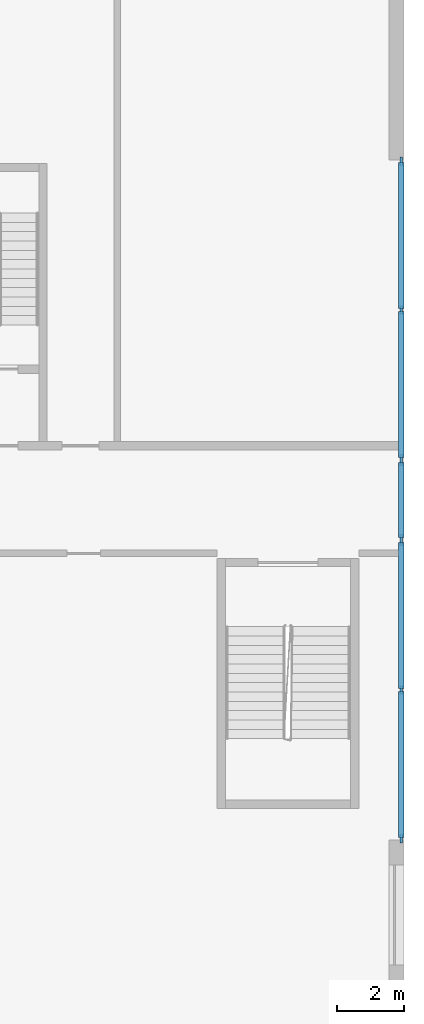
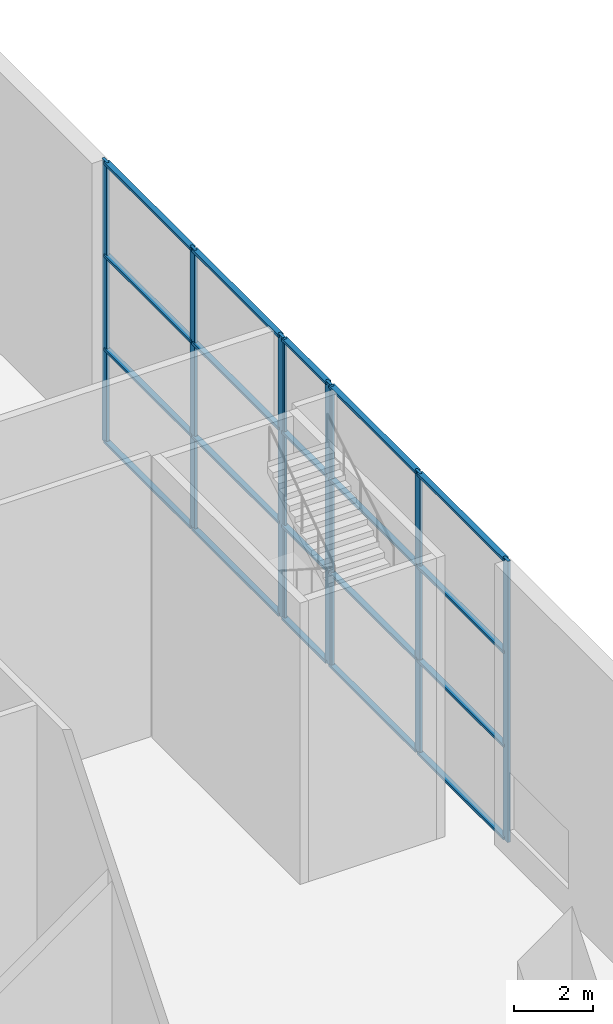
# One storey, part 3 of 24: 28 members, 3 elements without a shape of their own.
"""IFC4 building model written with IfcOpenShell, lengths in metres."""

from ifc_helpers import new_model, si_unit, direction, frame, origin, origin_2d, place, context, subcontext, project, spatial, rectangle, extrude, material, material_profile, profile_set, type_object, element, aggregate, save


model = new_model("IFC4")

# Units and contexts
model_context = context("Model", 3, precision=1e-05, world=origin(), true_north=direction((0.0, 1.0)))
body_context = subcontext(model_context, "Body", "Model", "MODEL_VIEW")
ifc_project = project(units=[si_unit("LENGTHUNIT", "METRE"), si_unit("AREAUNIT", "SQUARE_METRE"), si_unit("VOLUMEUNIT", "CUBIC_METRE"), si_unit("PLANEANGLEUNIT", "RADIAN"), si_unit("MASSUNIT", "GRAM", prefix="KILO")], contexts=[model_context])

# Site, building, storey
site_placement = place(None, origin())
site = spatial("IfcSite", under=ifc_project, at=site_placement, CompositionType="ELEMENT")
building_placement = place(site_placement, origin())
building = spatial("IfcBuilding", under=site, at=building_placement, Name="Kajstack Hotel Tower", CompositionType="ELEMENT")
storey_placement = place(building_placement, frame((0.0, 0.0, 38.0)))
storey = spatial("IfcBuildingStorey", under=building, at=storey_placement, Name="L06", CompositionType="ELEMENT", Elevation=38.0)

# Curtain wall, members
ifc_material_1 = material(Name="Aluminium-framed curtain wall, acoustic laminated glass", Category="aluminium")
curtain_wall_type = type_object("IfcCurtainWallType", Name="CW-BALL", PredefinedType="NOTDEFINED", material=ifc_material_1)
curtain_wall_1_placement = place(storey_placement, origin())
curtain_wall_1 = element("IfcCurtainWall", 1, at=curtain_wall_1_placement, inside=storey, type_object=curtain_wall_type, Name="Curtain wall CU5 L06-07-01-0", PredefinedType="NOTDEFINED")
ifc_material_2 = material(Name="Aluminium", Category="aluminium")
ifc_material_profile_1 = material_profile(ifc_material_2, rectangle(XDim=0.080078125, YDim=0.25, at=origin_2d()), Name="Aluminium mullion 80 x 250")
ifc_profile_set_1 = profile_set([ifc_material_profile_1], Name="Aluminium")
member_type_1 = type_object("IfcMemberType", Name="CW-M-BALL", PredefinedType="MULLION", material=ifc_profile_set_1)
member_1_placement = place(storey_placement, frame((44.925048828125, -10.159912109375, 0.0), z_axis=(0.0, 0.0, 1.0), x_axis=(-1.0, 0.0, 0.0)))
member_1 = element("IfcMember", 2, at=member_1_placement, type_object=member_type_1, Name="CU5 mullion 1", PredefinedType="MULLION", context=body_context, shape_type="SweptSolid", body=[
    extrude(rectangle(XDim=0.080078125, YDim=0.25, at=origin_2d()), origin(), (0.0, 0.0, 1.0), 8.699951171875),
])
member_2_placement = place(storey_placement, frame((44.925048828125, -5.699951171875, 0.0), z_axis=(0.0, 0.0, 1.0), x_axis=(-1.0, 0.0, 0.0)))
member_2 = element("IfcMember", 3, at=member_2_placement, type_object=member_type_1, Name="CU5 mullion 2", PredefinedType="MULLION", context=body_context, shape_type="SweptSolid", body=[
    extrude(rectangle(XDim=0.080078125, YDim=0.25, at=origin_2d()), origin(), (0.0, 0.0, 1.0), 8.699951171875),
])
member_3_placement = place(storey_placement, frame((44.925048828125, -1.239990234375, 0.0), z_axis=(0.0, 0.0, 1.0), x_axis=(-1.0, 0.0, 0.0)))
member_3 = element("IfcMember", 4, at=member_3_placement, type_object=member_type_1, Name="CU5 mullion 3", PredefinedType="MULLION", context=body_context, shape_type="SweptSolid", body=[
    extrude(rectangle(XDim=0.080078125, YDim=0.25, at=origin_2d()), origin(), (0.0, 0.0, 1.0), 8.699951171875),
])

curtain_wall_2_placement = place(storey_placement, origin())
curtain_wall_2 = element("IfcCurtainWall", 5, at=curtain_wall_2_placement, inside=storey, type_object=curtain_wall_type, Name="Curtain wall CU5 L06-07-01-1", PredefinedType="NOTDEFINED")
member_4_placement = place(storey_placement, frame((44.925048828125, -1.159912109375, 0.0), z_axis=(0.0, 0.0, 1.0), x_axis=(-1.0, 0.0, 0.0)))
member_4 = element("IfcMember", 6, at=member_4_placement, type_object=member_type_1, Name="CU5 mullion 1", PredefinedType="MULLION", context=body_context, shape_type="SweptSolid", body=[
    extrude(rectangle(XDim=0.080078125, YDim=0.25, at=origin_2d()), origin(), (0.0, 0.0, 1.0), 8.699951171875),
])
member_5_placement = place(storey_placement, frame((44.925048828125, 1.159912109375, 0.0), z_axis=(0.0, 0.0, 1.0), x_axis=(-1.0, 0.0, 0.0)))
member_5 = element("IfcMember", 7, at=member_5_placement, type_object=member_type_1, Name="CU5 mullion 2", PredefinedType="MULLION", context=body_context, shape_type="SweptSolid", body=[
    extrude(rectangle(XDim=0.080078125, YDim=0.25, at=origin_2d()), origin(), (0.0, 0.0, 1.0), 8.699951171875),
])

curtain_wall_3_placement = place(storey_placement, origin())
curtain_wall_3 = element("IfcCurtainWall", 8, at=curtain_wall_3_placement, inside=storey, type_object=curtain_wall_type, Name="Curtain wall CU5 L06-07-01-2", PredefinedType="NOTDEFINED")
member_6_placement = place(storey_placement, frame((44.925048828125, 1.239990234375, 0.0), z_axis=(0.0, 0.0, 1.0), x_axis=(-1.0, 0.0, 0.0)))
member_6 = element("IfcMember", 9, at=member_6_placement, type_object=member_type_1, Name="CU5 mullion 1", PredefinedType="MULLION", context=body_context, shape_type="SweptSolid", body=[
    extrude(rectangle(XDim=0.080078125, YDim=0.25, at=origin_2d()), origin(), (0.0, 0.0, 1.0), 8.699951171875),
])
member_7_placement = place(storey_placement, frame((44.925048828125, 5.699951171875, 0.0), z_axis=(0.0, 0.0, 1.0), x_axis=(-1.0, 0.0, 0.0)))
member_7 = element("IfcMember", 10, at=member_7_placement, type_object=member_type_1, Name="CU5 mullion 2", PredefinedType="MULLION", context=body_context, shape_type="SweptSolid", body=[
    extrude(rectangle(XDim=0.080078125, YDim=0.25, at=origin_2d()), origin(), (0.0, 0.0, 1.0), 8.699951171875),
])
member_8_placement = place(storey_placement, frame((44.925048828125, 10.159912109375, 0.0), z_axis=(0.0, 0.0, 1.0), x_axis=(-1.0, 0.0, 0.0)))
member_8 = element("IfcMember", 11, at=member_8_placement, type_object=member_type_1, Name="CU5 mullion 3", PredefinedType="MULLION", context=body_context, shape_type="SweptSolid", body=[
    extrude(rectangle(XDim=0.080078125, YDim=0.25, at=origin_2d()), origin(), (0.0, 0.0, 1.0), 8.699951171875),
])

# Member
ifc_material_profile_2 = material_profile(ifc_material_2, rectangle(XDim=0.159912109375, YDim=0.080078125, at=origin_2d()), Name="Aluminium transom 160 x 80")
ifc_profile_set_2 = profile_set([ifc_material_profile_2], Name="Aluminium")
member_type_2 = type_object("IfcMemberType", Name="CW-T-BALL", PredefinedType="USERDEFINED", material=ifc_profile_set_2)
member_9_placement = place(storey_placement, frame((44.925048828125, -10.1201171875, 0.0400390625), z_axis=(0.0, 1.0, 0.0), x_axis=(-1.0, 0.0, 0.0)))
member_9 = element("IfcMember", 12, at=member_9_placement, type_object=member_type_2, Name="CU5 transom 1.1", ObjectType="TRANSOM", PredefinedType="USERDEFINED", context=body_context, shape_type="SweptSolid", body=[
    extrude(rectangle(XDim=0.159912109375, YDim=0.080078125, at=origin_2d()), origin(), (0.0, 0.0, 1.0), 4.380126953125),
])

member_10_placement = place(storey_placement, frame((44.925048828125, -10.1201171875, 2.89990234375), z_axis=(0.0, 1.0, 0.0), x_axis=(-1.0, 0.0, 0.0)))
member_10 = element("IfcMember", 13, at=member_10_placement, type_object=member_type_2, Name="CU5 transom 1.2", ObjectType="TRANSOM", PredefinedType="USERDEFINED", context=body_context, shape_type="SweptSolid", body=[
    extrude(rectangle(XDim=0.159912109375, YDim=0.080078125, at=origin_2d()), origin(), (0.0, 0.0, 1.0), 4.380126953125),
])

member_11_placement = place(storey_placement, frame((44.925048828125, -10.1201171875, 5.800048828125), z_axis=(0.0, 1.0, 0.0), x_axis=(-1.0, 0.0, 0.0)))
member_11 = element("IfcMember", 14, at=member_11_placement, type_object=member_type_2, Name="CU5 transom 1.3", ObjectType="TRANSOM", PredefinedType="USERDEFINED", context=body_context, shape_type="SweptSolid", body=[
    extrude(rectangle(XDim=0.159912109375, YDim=0.080078125, at=origin_2d()), origin(), (0.0, 0.0, 1.0), 4.380126953125),
])

member_12_placement = place(storey_placement, frame((44.925048828125, -10.1201171875, 8.659912109375), z_axis=(0.0, 1.0, 0.0), x_axis=(-1.0, 0.0, 0.0)))
member_12 = element("IfcMember", 15, at=member_12_placement, type_object=member_type_2, Name="CU5 transom 1.4", ObjectType="TRANSOM", PredefinedType="USERDEFINED", context=body_context, shape_type="SweptSolid", body=[
    extrude(rectangle(XDim=0.159912109375, YDim=0.080078125, at=origin_2d()), origin(), (0.0, 0.0, 1.0), 4.380126953125),
])

member_13_placement = place(storey_placement, frame((44.925048828125, -5.659912109375, 0.0400390625), z_axis=(0.0, 1.0, 0.0), x_axis=(-1.0, 0.0, 0.0)))
member_13 = element("IfcMember", 16, at=member_13_placement, type_object=member_type_2, Name="CU5 transom 2.1", ObjectType="TRANSOM", PredefinedType="USERDEFINED", context=body_context, shape_type="SweptSolid", body=[
    extrude(rectangle(XDim=0.159912109375, YDim=0.080078125, at=origin_2d()), origin(), (0.0, 0.0, 1.0), 4.3798828125),
])

member_14_placement = place(storey_placement, frame((44.925048828125, -5.659912109375, 2.89990234375), z_axis=(0.0, 1.0, 0.0), x_axis=(-1.0, 0.0, 0.0)))
member_14 = element("IfcMember", 17, at=member_14_placement, type_object=member_type_2, Name="CU5 transom 2.2", ObjectType="TRANSOM", PredefinedType="USERDEFINED", context=body_context, shape_type="SweptSolid", body=[
    extrude(rectangle(XDim=0.159912109375, YDim=0.080078125, at=origin_2d()), origin(), (0.0, 0.0, 1.0), 4.3798828125),
])

member_15_placement = place(storey_placement, frame((44.925048828125, -5.659912109375, 5.800048828125), z_axis=(0.0, 1.0, 0.0), x_axis=(-1.0, 0.0, 0.0)))
member_15 = element("IfcMember", 18, at=member_15_placement, type_object=member_type_2, Name="CU5 transom 2.3", ObjectType="TRANSOM", PredefinedType="USERDEFINED", context=body_context, shape_type="SweptSolid", body=[
    extrude(rectangle(XDim=0.159912109375, YDim=0.080078125, at=origin_2d()), origin(), (0.0, 0.0, 1.0), 4.3798828125),
])

member_16_placement = place(storey_placement, frame((44.925048828125, -5.659912109375, 8.659912109375), z_axis=(0.0, 1.0, 0.0), x_axis=(-1.0, 0.0, 0.0)))
member_16 = element("IfcMember", 19, at=member_16_placement, type_object=member_type_2, Name="CU5 transom 2.4", ObjectType="TRANSOM", PredefinedType="USERDEFINED", context=body_context, shape_type="SweptSolid", body=[
    extrude(rectangle(XDim=0.159912109375, YDim=0.080078125, at=origin_2d()), origin(), (0.0, 0.0, 1.0), 4.3798828125),
])

aggregate(curtain_wall_1, [member_1, member_2, member_3, member_9, member_10, member_11, member_12, member_13, member_14, member_15, member_16])

member_17_placement = place(storey_placement, frame((44.925048828125, -1.1201171875, 0.0400390625), z_axis=(0.0, 1.0, 0.0), x_axis=(-1.0, 0.0, 0.0)))
member_17 = element("IfcMember", 20, at=member_17_placement, type_object=member_type_2, Name="CU5 transom 1.1", ObjectType="TRANSOM", PredefinedType="USERDEFINED", context=body_context, shape_type="SweptSolid", body=[
    extrude(rectangle(XDim=0.159912109375, YDim=0.080078125, at=origin_2d()), origin(), (0.0, 0.0, 1.0), 2.240234375),
])

member_18_placement = place(storey_placement, frame((44.925048828125, -1.1201171875, 2.89990234375), z_axis=(0.0, 1.0, 0.0), x_axis=(-1.0, 0.0, 0.0)))
member_18 = element("IfcMember", 21, at=member_18_placement, type_object=member_type_2, Name="CU5 transom 1.2", ObjectType="TRANSOM", PredefinedType="USERDEFINED", context=body_context, shape_type="SweptSolid", body=[
    extrude(rectangle(XDim=0.159912109375, YDim=0.080078125, at=origin_2d()), origin(), (0.0, 0.0, 1.0), 2.240234375),
])

member_19_placement = place(storey_placement, frame((44.925048828125, -1.1201171875, 5.800048828125), z_axis=(0.0, 1.0, 0.0), x_axis=(-1.0, 0.0, 0.0)))
member_19 = element("IfcMember", 22, at=member_19_placement, type_object=member_type_2, Name="CU5 transom 1.3", ObjectType="TRANSOM", PredefinedType="USERDEFINED", context=body_context, shape_type="SweptSolid", body=[
    extrude(rectangle(XDim=0.159912109375, YDim=0.080078125, at=origin_2d()), origin(), (0.0, 0.0, 1.0), 2.240234375),
])

member_20_placement = place(storey_placement, frame((44.925048828125, -1.1201171875, 8.659912109375), z_axis=(0.0, 1.0, 0.0), x_axis=(-1.0, 0.0, 0.0)))
member_20 = element("IfcMember", 23, at=member_20_placement, type_object=member_type_2, Name="CU5 transom 1.4", ObjectType="TRANSOM", PredefinedType="USERDEFINED", context=body_context, shape_type="SweptSolid", body=[
    extrude(rectangle(XDim=0.159912109375, YDim=0.080078125, at=origin_2d()), origin(), (0.0, 0.0, 1.0), 2.240234375),
])

aggregate(curtain_wall_2, [member_4, member_5, member_17, member_18, member_19, member_20])

member_21_placement = place(storey_placement, frame((44.925048828125, 1.280029296875, 0.0400390625), z_axis=(0.0, 1.0, 0.0), x_axis=(-1.0, 0.0, 0.0)))
member_21 = element("IfcMember", 24, at=member_21_placement, type_object=member_type_2, Name="CU5 transom 1.1", ObjectType="TRANSOM", PredefinedType="USERDEFINED", context=body_context, shape_type="SweptSolid", body=[
    extrude(rectangle(XDim=0.159912109375, YDim=0.080078125, at=origin_2d()), origin(), (0.0, 0.0, 1.0), 4.3798828125),
])

member_22_placement = place(storey_placement, frame((44.925048828125, 1.280029296875, 2.89990234375), z_axis=(0.0, 1.0, 0.0), x_axis=(-1.0, 0.0, 0.0)))
member_22 = element("IfcMember", 25, at=member_22_placement, type_object=member_type_2, Name="CU5 transom 1.2", ObjectType="TRANSOM", PredefinedType="USERDEFINED", context=body_context, shape_type="SweptSolid", body=[
    extrude(rectangle(XDim=0.159912109375, YDim=0.080078125, at=origin_2d()), origin(), (0.0, 0.0, 1.0), 4.3798828125),
])

member_23_placement = place(storey_placement, frame((44.925048828125, 1.280029296875, 5.800048828125), z_axis=(0.0, 1.0, 0.0), x_axis=(-1.0, 0.0, 0.0)))
member_23 = element("IfcMember", 26, at=member_23_placement, type_object=member_type_2, Name="CU5 transom 1.3", ObjectType="TRANSOM", PredefinedType="USERDEFINED", context=body_context, shape_type="SweptSolid", body=[
    extrude(rectangle(XDim=0.159912109375, YDim=0.080078125, at=origin_2d()), origin(), (0.0, 0.0, 1.0), 4.3798828125),
])

member_24_placement = place(storey_placement, frame((44.925048828125, 1.280029296875, 8.659912109375), z_axis=(0.0, 1.0, 0.0), x_axis=(-1.0, 0.0, 0.0)))
member_24 = element("IfcMember", 27, at=member_24_placement, type_object=member_type_2, Name="CU5 transom 1.4", ObjectType="TRANSOM", PredefinedType="USERDEFINED", context=body_context, shape_type="SweptSolid", body=[
    extrude(rectangle(XDim=0.159912109375, YDim=0.080078125, at=origin_2d()), origin(), (0.0, 0.0, 1.0), 4.3798828125),
])

member_25_placement = place(storey_placement, frame((44.925048828125, 5.739990234375, 0.0400390625), z_axis=(0.0, 1.0, 0.0), x_axis=(-1.0, 0.0, 0.0)))
member_25 = element("IfcMember", 28, at=member_25_placement, type_object=member_type_2, Name="CU5 transom 2.1", ObjectType="TRANSOM", PredefinedType="USERDEFINED", context=body_context, shape_type="SweptSolid", body=[
    extrude(rectangle(XDim=0.159912109375, YDim=0.080078125, at=origin_2d()), origin(), (0.0, 0.0, 1.0), 4.380126953125),
])

member_26_placement = place(storey_placement, frame((44.925048828125, 5.739990234375, 2.89990234375), z_axis=(0.0, 1.0, 0.0), x_axis=(-1.0, 0.0, 0.0)))
member_26 = element("IfcMember", 29, at=member_26_placement, type_object=member_type_2, Name="CU5 transom 2.2", ObjectType="TRANSOM", PredefinedType="USERDEFINED", context=body_context, shape_type="SweptSolid", body=[
    extrude(rectangle(XDim=0.159912109375, YDim=0.080078125, at=origin_2d()), origin(), (0.0, 0.0, 1.0), 4.380126953125),
])

member_27_placement = place(storey_placement, frame((44.925048828125, 5.739990234375, 5.800048828125), z_axis=(0.0, 1.0, 0.0), x_axis=(-1.0, 0.0, 0.0)))
member_27 = element("IfcMember", 30, at=member_27_placement, type_object=member_type_2, Name="CU5 transom 2.3", ObjectType="TRANSOM", PredefinedType="USERDEFINED", context=body_context, shape_type="SweptSolid", body=[
    extrude(rectangle(XDim=0.159912109375, YDim=0.080078125, at=origin_2d()), origin(), (0.0, 0.0, 1.0), 4.380126953125),
])

member_28_placement = place(storey_placement, frame((44.925048828125, 5.739990234375, 8.659912109375), z_axis=(0.0, 1.0, 0.0), x_axis=(-1.0, 0.0, 0.0)))
member_28 = element("IfcMember", 31, at=member_28_placement, type_object=member_type_2, Name="CU5 transom 2.4", ObjectType="TRANSOM", PredefinedType="USERDEFINED", context=body_context, shape_type="SweptSolid", body=[
    extrude(rectangle(XDim=0.159912109375, YDim=0.080078125, at=origin_2d()), origin(), (0.0, 0.0, 1.0), 4.380126953125),
])

aggregate(curtain_wall_3, [member_6, member_7, member_8, member_21, member_22, member_23, member_24, member_25, member_26, member_27, member_28])

save(model, "model.ifc")
